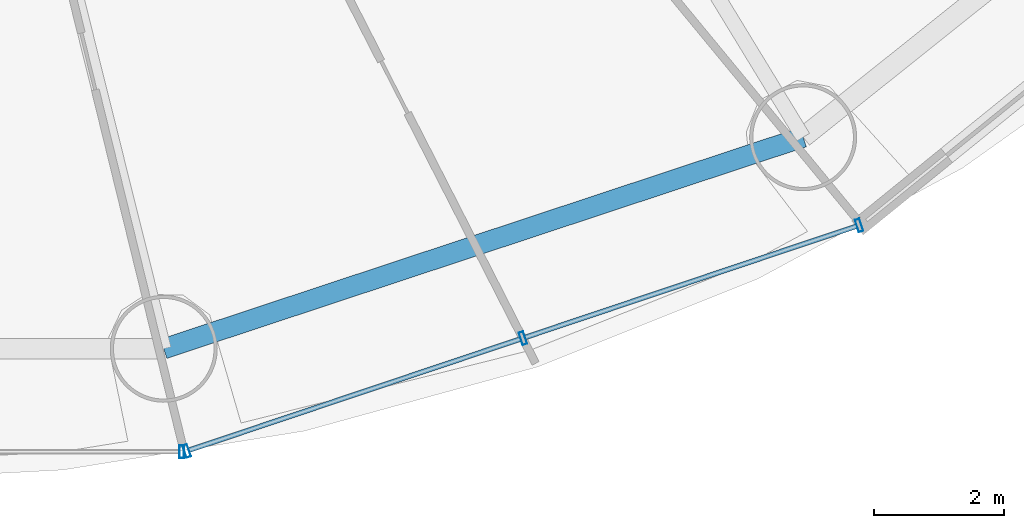
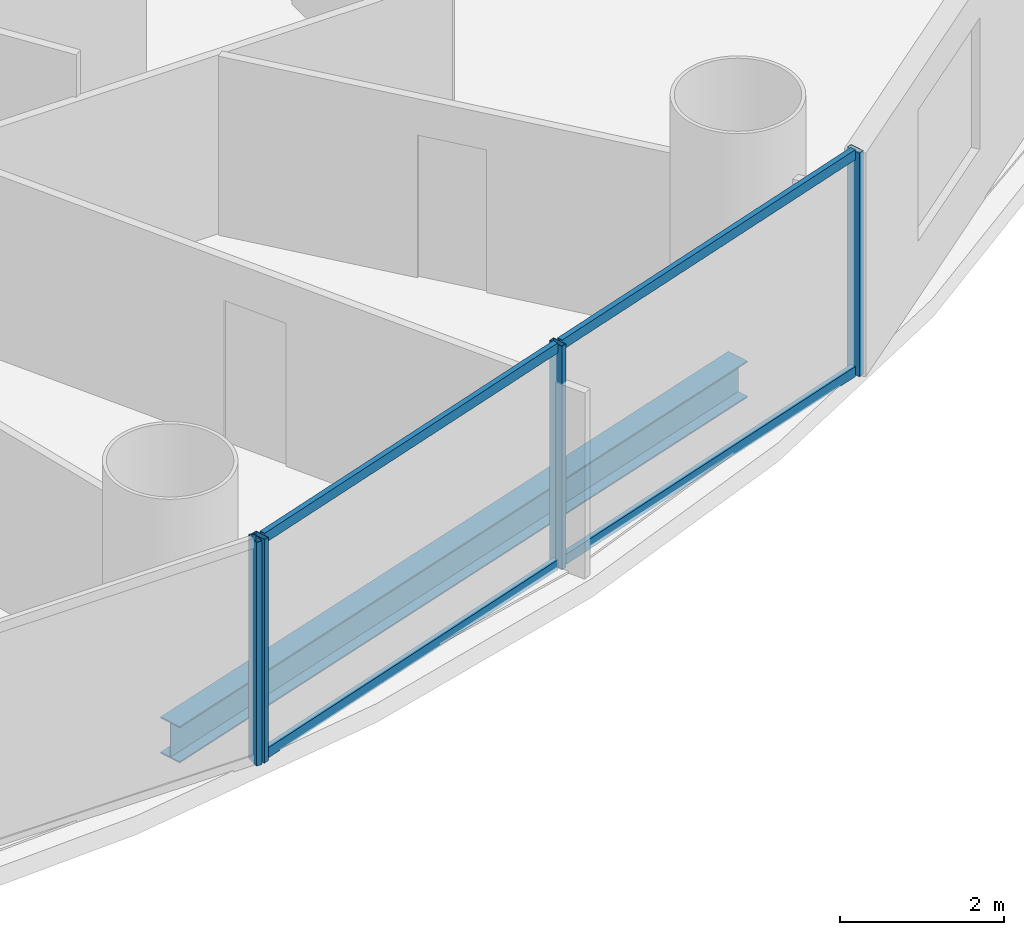
# One storey, part 11 of 30: 8 members, 1 beam, 2 elements without a shape of their own.
"""IFC4 building model written with IfcOpenShell, lengths in metres."""

from ifc_helpers import new_model, si_unit, direction, frame, origin, origin_2d, place, context, subcontext, project, spatial, hollow_rectangle, i_section, extrude, source, transform, mapped, material, material_profile, profile_set, type_object, element, aggregate, save


model = new_model("IFC4")

# Units and contexts
model_context = context("Model", 3, precision=1e-05, world=origin(), true_north=direction((-0.2419218956, 0.970295726276)))
body_context = subcontext(model_context, "Body", "Model", "MODEL_VIEW")
ifc_project = project(units=[si_unit("LENGTHUNIT", "METRE"), si_unit("AREAUNIT", "SQUARE_METRE"), si_unit("VOLUMEUNIT", "CUBIC_METRE"), si_unit("PLANEANGLEUNIT", "RADIAN"), si_unit("MASSUNIT", "GRAM", prefix="KILO")], contexts=[model_context])

# Site, building, storey
site_placement = place(None, origin())
site = spatial("IfcSite", under=ifc_project, at=site_placement, CompositionType="ELEMENT")
building_placement = place(site_placement, origin())
building = spatial("IfcBuilding", under=site, at=building_placement, Name="Cobrevalo Terracotta Tower", CompositionType="ELEMENT")
storey_placement = place(building_placement, frame((0.0, 0.0, 56.39990234375)))
storey = spatial("IfcBuildingStorey", under=building, at=storey_placement, Name="L14", CompositionType="ELEMENT", Elevation=56.39990234375)

# Beam
ifc_material_1 = material(Name="Steel S355", Category="steel")
ifc_material_profile_1 = material_profile(ifc_material_1, i_section(OverallWidth=0.31201171875, OverallDepth=0.54296875, WebThickness=0.0126953125, FlangeThickness=0.020263671875, at=origin_2d()), Name="W 530x150")
ifc_profile_set_1 = profile_set([ifc_material_profile_1], Name="Steel S355")
beam_type = type_object("IfcBeamType", Name="Structural Spandrel W 530x150 (Steel S355)", PredefinedType="SPANDREL", material=ifc_profile_set_1)
beam_placement = place(storey_placement, frame((43.335693359375, 5.369873046875, -0.551513671875), z_axis=(0.949372202648, 0.314153498848, 0.0), x_axis=(-0.314153498848, 0.949372202648, 0.0)))
element("IfcBeam", 1, at=beam_placement, inside=storey, type_object=beam_type, Name="L14 perimeter ring spandrel 13", PredefinedType="SPANDREL", context=body_context, shape_type="SweptSolid", body=[
    extrude(i_section(OverallWidth=0.31201171875, OverallDepth=0.54296875, WebThickness=0.0126953125, FlangeThickness=0.020263671875, at=origin_2d()), origin(), (0.0, 0.0, 1.0), 10.385009765625),
])

# Curtain wall, member
ifc_material_2 = material(Name="Anodized aluminium", Category="aluminium")
curtain_wall_type = type_object("IfcCurtainWallType", Name="Lower-tower unitised acoustic low-E curtain wall CW-U1", PredefinedType="NOTDEFINED", material=ifc_material_2)
curtain_wall_1_placement = place(storey_placement, origin())
curtain_wall_1 = element("IfcCurtainWall", 2, at=curtain_wall_1_placement, inside=storey, type_object=curtain_wall_type, Name="L14 curtain wall CW-L14-S12", PredefinedType="NOTDEFINED")
ifc_material_profile_2 = material_profile(ifc_material_2, hollow_rectangle(XDim=0.074951171875, YDim=0.199951171875, WallThickness=0.0048828125, at=origin_2d()), Name="CWM 75x200")
ifc_profile_set_2 = profile_set([ifc_material_profile_2], Name="Anodized aluminium")
member_type_1 = type_object("IfcMemberType", Name="Lower/mid tower unitised mullion 75x200", PredefinedType="MULLION", material=ifc_profile_set_2)
shared_shape_1 = source(origin(), body_context, "Body", "SweptSolid", [
    extrude(hollow_rectangle(XDim=0.074951171875, YDim=0.199951171875, WallThickness=0.0048828125, at=origin_2d()), origin(), (0.0, 0.0, 1.0), 3.320068359375),
])
member_1_placement = place(storey_placement, frame((43.61181640625, 3.781005859375, 0.0), z_axis=(0.0, 0.0, 1.0), x_axis=(1.0, 0.0, 0.0)))
member_1 = element("IfcMember", 3, at=member_1_placement, type_object=member_type_1, Name="CW-L14-S12 vertical mullion 03", PredefinedType="MULLION", context=body_context, shape_type="MappedRepresentation", body=[
    mapped(shared_shape_1, transform((0.0, 0.0, 0.0), scale=1.0)),
])
aggregate(curtain_wall_1, [member_1])

# Curtain wall, members
curtain_wall_2_placement = place(storey_placement, origin())
curtain_wall_2 = element("IfcCurtainWall", 4, at=curtain_wall_2_placement, inside=storey, type_object=curtain_wall_type, Name="L14 curtain wall CW-L14-S13", PredefinedType="NOTDEFINED")
member_2_placement = place(storey_placement, frame((43.689697265625, 3.793701171875, 0.0), z_axis=(0.0, 0.0, 1.0), x_axis=(0.948046393597, 0.318132103987, 0.0)))
member_2 = element("IfcMember", 5, at=member_2_placement, type_object=member_type_1, Name="CW-L14-S13 vertical mullion 01", PredefinedType="MULLION", context=body_context, shape_type="MappedRepresentation", body=[
    mapped(shared_shape_1, transform((0.0, 0.0, 0.0), scale=1.0)),
])
member_3_placement = place(storey_placement, frame((48.873291015625, 5.533203125, 0.0), z_axis=(0.0, 0.0, 1.0), x_axis=(0.948046393597, 0.318132103987, 0.0)))
member_3 = element("IfcMember", 6, at=member_3_placement, type_object=member_type_1, Name="CW-L14-S13 vertical mullion 02", PredefinedType="MULLION", context=body_context, shape_type="MappedRepresentation", body=[
    mapped(shared_shape_1, transform((0.0, 0.0, 0.0), scale=1.0)),
])
member_4_placement = place(storey_placement, frame((54.056884765625, 7.272705078125, 0.0), z_axis=(0.0, 0.0, 1.0), x_axis=(0.948046393597, 0.318132103987, 0.0)))
member_4 = element("IfcMember", 7, at=member_4_placement, type_object=member_type_1, Name="CW-L14-S13 vertical mullion 03", PredefinedType="MULLION", context=body_context, shape_type="MappedRepresentation", body=[
    mapped(shared_shape_1, transform((0.0, 0.0, 0.0), scale=1.0)),
])
ifc_material_profile_3 = material_profile(ifc_material_2, hollow_rectangle(XDim=0.074951171875, YDim=0.14990234375, WallThickness=0.00439453125, at=origin_2d()), Name="CWT 75x150")
ifc_profile_set_3 = profile_set([ifc_material_profile_3], Name="Anodized aluminium")
member_type_2 = type_object("IfcMemberType", Name="Tower unitised aluminium transom 75x150", PredefinedType="USERDEFINED", material=ifc_profile_set_3)
shared_shape_2 = source(origin(), body_context, "Body", "SweptSolid", [
    extrude(hollow_rectangle(XDim=0.074951171875, YDim=0.14990234375, WallThickness=0.00439453125, at=origin_2d()), origin(), (0.0, 0.0, 1.0), 5.387939453125),
])
member_5_placement = place(storey_placement, frame((43.7275390625, 3.806396484375, 0.050048828125), z_axis=(0.94804244582, 0.318143868278, 0.0), x_axis=(-0.318143868278, 0.94804244582, 0.0)))
member_5 = element("IfcMember", 8, at=member_5_placement, type_object=member_type_2, Name="CW-L14-S13 transom B01-T1", ObjectType="TRANSOM", PredefinedType="USERDEFINED", context=body_context, shape_type="MappedRepresentation", body=[
    mapped(shared_shape_2, transform((0.0, 0.0, 0.0), scale=1.0)),
])
member_6_placement = place(storey_placement, frame((43.7275390625, 3.806396484375, 3.27001953125), z_axis=(0.94804244582, 0.318143868278, 0.0), x_axis=(-0.318143868278, 0.94804244582, 0.0)))
member_6 = element("IfcMember", 9, at=member_6_placement, type_object=member_type_2, Name="CW-L14-S13 transom B01-T2", ObjectType="TRANSOM", PredefinedType="USERDEFINED", context=body_context, shape_type="MappedRepresentation", body=[
    mapped(shared_shape_2, transform((0.0, 0.0, 0.0), scale=1.0)),
])
member_7_placement = place(storey_placement, frame((48.9111328125, 5.5458984375, 0.050048828125), z_axis=(0.94804244582, 0.318143868278, 0.0), x_axis=(-0.318143868278, 0.94804244582, 0.0)))
member_7 = element("IfcMember", 10, at=member_7_placement, type_object=member_type_2, Name="CW-L14-S13 transom B02-T1", ObjectType="TRANSOM", PredefinedType="USERDEFINED", context=body_context, shape_type="MappedRepresentation", body=[
    mapped(shared_shape_2, transform((0.0, 0.0, 0.0), scale=1.0)),
])
member_8_placement = place(storey_placement, frame((48.9111328125, 5.5458984375, 3.27001953125), z_axis=(0.94804244582, 0.318143868278, 0.0), x_axis=(-0.318143868278, 0.94804244582, 0.0)))
member_8 = element("IfcMember", 11, at=member_8_placement, type_object=member_type_2, Name="CW-L14-S13 transom B02-T2", ObjectType="TRANSOM", PredefinedType="USERDEFINED", context=body_context, shape_type="MappedRepresentation", body=[
    mapped(shared_shape_2, transform((0.0, 0.0, 0.0), scale=1.0)),
])
aggregate(curtain_wall_2, [member_2, member_3, member_4, member_5, member_6, member_7, member_8])

save(model, "model.ifc")
